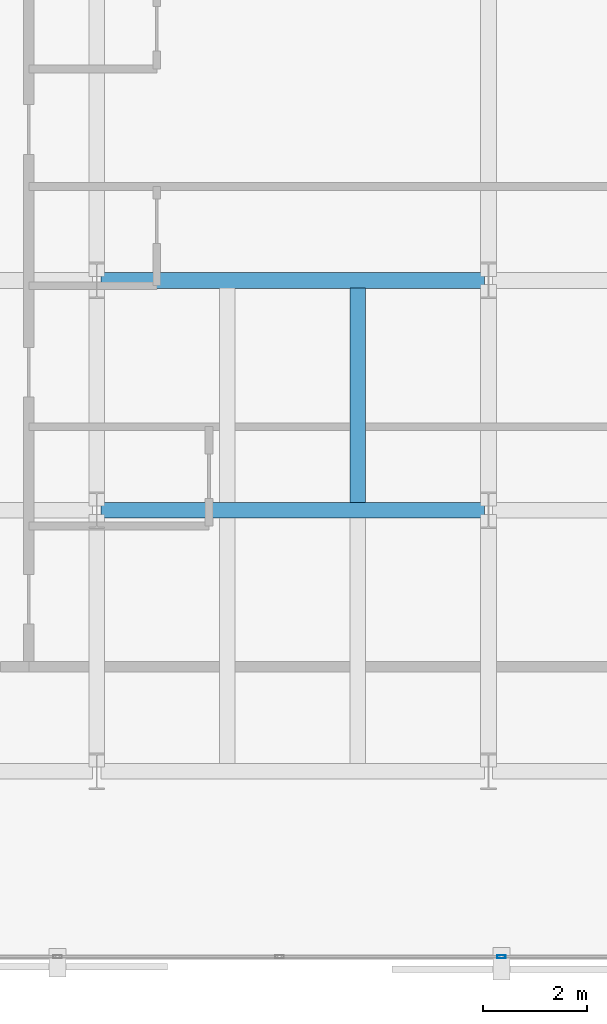
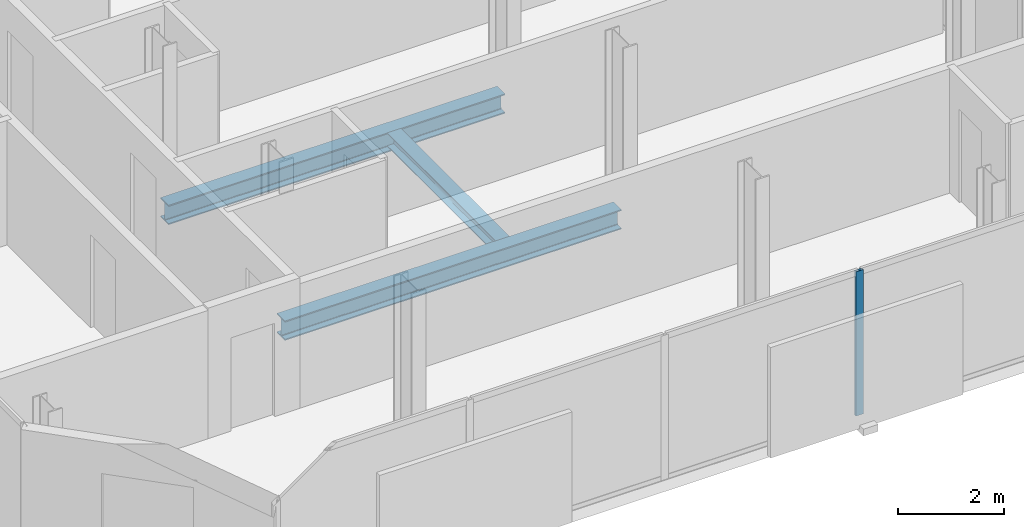
# One storey, part 6 of 32: 3 beams, 1 member, 1 element without a shape of its own.
"""IFC4 building model written with IfcOpenShell, lengths in metres."""

from ifc_helpers import new_model, si_unit, direction, frame, origin, origin_2d, place, context, subcontext, project, spatial, hollow_rectangle, i_section, extrude, material, layer, layer_set, material_profile, profile_set, type_object, element, aggregate, save


model = new_model("IFC4")

# Units and contexts
model_context = context("Model", 3, precision=1e-05, world=origin(), true_north=direction((0.0, 1.0)))
body_context = subcontext(model_context, "Body", "Model", "MODEL_VIEW")
ifc_project = project(units=[si_unit("LENGTHUNIT", "METRE"), si_unit("AREAUNIT", "SQUARE_METRE"), si_unit("VOLUMEUNIT", "CUBIC_METRE"), si_unit("PLANEANGLEUNIT", "RADIAN"), si_unit("MASSUNIT", "GRAM", prefix="KILO")], contexts=[model_context])

# Site, building, storey
site_placement = place(None, origin())
site = spatial("IfcSite", under=ifc_project, at=site_placement, CompositionType="ELEMENT")
building_placement = place(site_placement, origin())
building = spatial("IfcBuilding", under=site, at=building_placement, Name="Catumbela Crestline Tower", CompositionType="ELEMENT")
storey_placement = place(building_placement, frame((0.0, 0.0, 129.6)))
storey = spatial("IfcBuildingStorey", under=building, at=storey_placement, Name="L33", CompositionType="ELEMENT", Elevation=129.6)

# Beams
ifc_material_1 = material(Name="Structural steel S355J2", Category="steel")
ifc_material_profile_1 = material_profile(ifc_material_1, i_section(OverallWidth=0.3, OverallDepth=0.45, WebThickness=0.014, FlangeThickness=0.026, FilletRadius=0.027, at=origin_2d()), Name="HEB 450")
ifc_profile_set_1 = profile_set([ifc_material_profile_1], Name="Structural steel S355J2")
beam_type_1 = type_object("IfcBeamType", Name="BG-HEB450", PredefinedType="BEAM", material=ifc_profile_set_1)
for number, where, z_axis, x_axis, name in (
    (1, (8.58, 13.6, -0.485), (1.0, 0.0, 0.0), (0.0, 1.0, 0.0), "L33 Beam BM-L33-WEW47"),
    (2, (8.58, 18.0, -0.485), (1.0, 0.0, 0.0), (0.0, 1.0, 0.0), "L33 Beam BM-L33-WEW50"),
):
    element("IfcBeam", number, at=place(storey_placement, frame(where, z_axis=z_axis, x_axis=x_axis)), inside=storey, type_object=beam_type_1, Name=name, PredefinedType="BEAM", context=body_context, shape_type="SweptSolid", body=[
        extrude(i_section(OverallWidth=0.3, OverallDepth=0.45, WebThickness=0.014, FlangeThickness=0.026, FilletRadius=0.027, at=origin_2d()), origin(), (0.0, 0.0, 1.0), 7.34),
    ])
ifc_material_profile_2 = material_profile(ifc_material_1, i_section(OverallWidth=0.3, OverallDepth=0.31, WebThickness=0.009, FlangeThickness=0.0155, FilletRadius=0.027, at=origin_2d()), Name="HEA 320")
ifc_profile_set_2 = profile_set([ifc_material_profile_2], Name="Structural steel S355J2")
beam_type_2 = type_object("IfcBeamType", Name="BJ-HEA320", PredefinedType="JOIST", material=ifc_profile_set_2)
beam_placement = place(storey_placement, frame((13.5, 13.747, -0.415), z_axis=(0.0, 1.0, 0.0), x_axis=(-1.0, 0.0, 0.0)))
element("IfcBeam", 3, at=beam_placement, inside=storey, type_object=beam_type_2, Name="L33 Joist JS-L33-WG72", PredefinedType="JOIST", context=body_context, shape_type="SweptSolid", body=[
    extrude(i_section(OverallWidth=0.3, OverallDepth=0.31, WebThickness=0.009, FlangeThickness=0.0155, FilletRadius=0.027, at=origin_2d()), origin(), (0.0, 0.0, 1.0), 4.106),
])

# Curtain wall, member
ifc_material_2 = material(Name="Aluminium alloy AW-6060-T66", Category="aluminium")
ifc_layer = layer(ifc_material_2, 0.18, Name="Aluminium alloy AW-6060-T66")
ifc_layer_set = layer_set([ifc_layer], Name="Aluminium alloy AW-6060-T66")
curtain_wall_type = type_object("IfcCurtainWallType", Name="CWU-Z2", PredefinedType="USERDEFINED", material=ifc_layer_set)
curtain_wall_placement = place(storey_placement, origin())
curtain_wall = element("IfcCurtainWall", 4, at=curtain_wall_placement, inside=storey, type_object=curtain_wall_type, Name="L33 Unitised Curtain Wall CW-L33-E0S1", ObjectType="UNITISED", PredefinedType="USERDEFINED")
ifc_material_profile_3 = material_profile(ifc_material_2, hollow_rectangle(XDim=0.06, YDim=0.16, WallThickness=0.004, at=origin_2d()), Name="ALU 160x60x4")
ifc_profile_set_3 = profile_set([ifc_material_profile_3], Name="Aluminium alloy AW-6060-T66")
member_type = type_object("IfcMemberType", Name="MUL-160X60", PredefinedType="MULLION", material=ifc_profile_set_3)
member_placement = place(storey_placement, frame((16.25, 5.05, 0.0), z_axis=(0.0, 0.0, 1.0), x_axis=(0.0, 1.0, 0.0)))
member = element("IfcMember", 5, at=member_placement, type_object=member_type, Name="CWU-Z2 mullion 4", PredefinedType="MULLION", context=body_context, shape_type="SweptSolid", body=[
    extrude(hollow_rectangle(XDim=0.06, YDim=0.16, WallThickness=0.004, at=origin_2d()), origin(), (0.0, 0.0, 1.0), 3.33),
])
aggregate(curtain_wall, [member])

save(model, "model.ifc")
